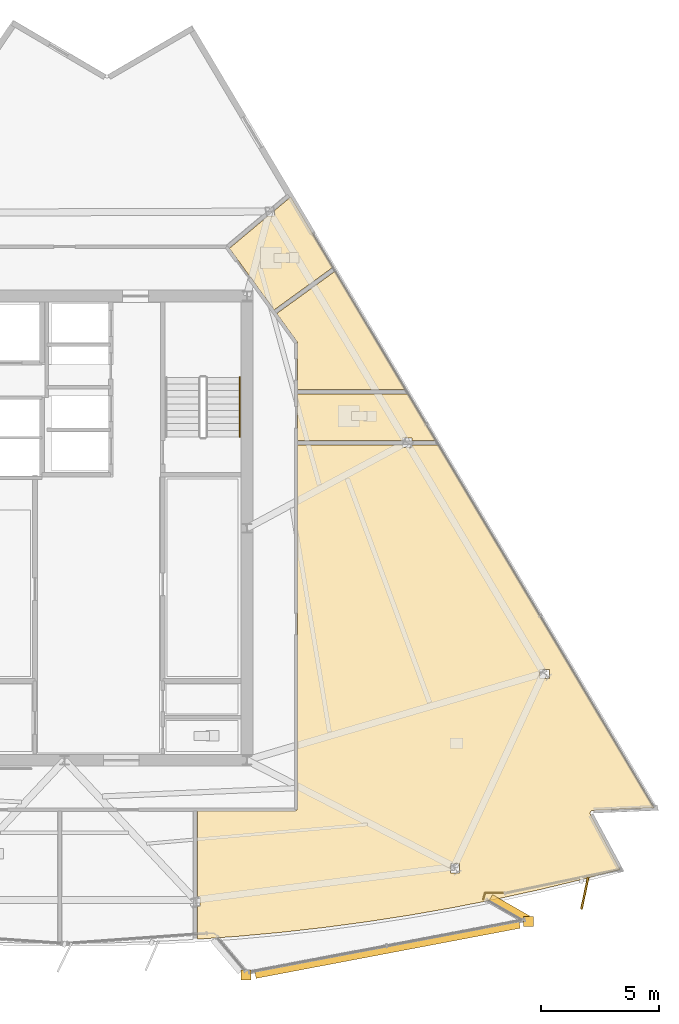
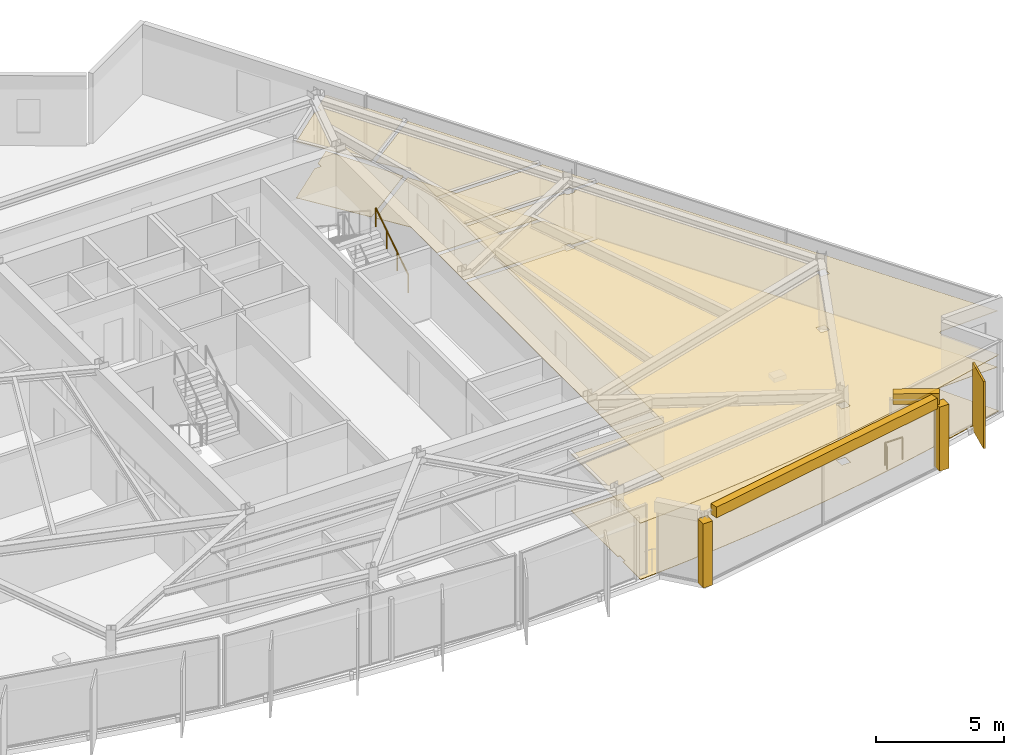
# One storey, part 13 of 14: 12 coverings, 2 railings, 1 shading device.
"""IFC4 building model written with IfcOpenShell, lengths in metres."""

from ifc_helpers import new_model, si_unit, direction, frame, origin, origin_2d, place, context, subcontext, project, spatial, polyline, rectangle, circle, outline, extrude, material, layer, layer_set, type_object, element, save


model = new_model("IFC4")

# Units and contexts
model_context = context("Model", 3, precision=1e-05, world=origin(), true_north=direction((0.0, 1.0)))
body_context = subcontext(model_context, "Body", "Model", "MODEL_VIEW")
ifc_project = project(units=[si_unit("LENGTHUNIT", "METRE"), si_unit("AREAUNIT", "SQUARE_METRE"), si_unit("VOLUMEUNIT", "CUBIC_METRE"), si_unit("PLANEANGLEUNIT", "RADIAN"), si_unit("MASSUNIT", "GRAM", prefix="KILO")], contexts=[model_context])

# Site, building, storey
site_placement = place(None, origin())
site = spatial("IfcSite", under=ifc_project, at=site_placement, CompositionType="ELEMENT")
building_placement = place(site_placement, origin())
building = spatial("IfcBuilding", under=site, at=building_placement, Name="Savorim Split Tower", CompositionType="ELEMENT")
storey_placement = place(building_placement, frame((0.0, 0.0, 219.89990234375)))
storey = spatial("IfcBuildingStorey", under=building, at=storey_placement, Name="L58", CompositionType="ELEMENT", Elevation=219.89990234375)

# Coverings
ifc_material_1 = material(Name="Mineral Fibre Acoustic Ceiling")
ifc_layer_1 = layer(ifc_material_1, 0.02490234375)
ifc_layer_set_1 = layer_set([ifc_layer_1], Name="COV-CEIL-25")
covering_type_1 = type_object("IfcCoveringType", Name="COV-CEIL-25", PredefinedType="CEILING", material=ifc_layer_set_1)
covering_1_placement = place(storey_placement, frame((0.0, 0.0, 2.670166015625)))
element("IfcCovering", 1, at=covering_1_placement, inside=storey, type_object=covering_type_1, Name="L58 Community Laundry Room Acoustic Ceiling", PredefinedType="CEILING", context=body_context, shape_type="SweptSolid", body=[
    extrude(outline(polyline([(22.282958984375, -11.518310546875), (22.294189453125, -11.516357421875), (22.305908203125, -11.51513671875), (24.887451171875, -11.405517578125), (15.76025390625, 3.944091796875), (15.76025390625, 3.910888671875), (14.66943359375, 3.910888671875), (14.66943359375, 3.81005859375), (14.275390625, 3.81005859375), (14.275390625, 3.910888671875), (9.840087890625, 3.910888671875), (9.840087890625, -11.39990234375), (9.83935546875, -11.413818359375), (9.83740234375, -11.42724609375), (9.833984375, -11.440673828125), (9.829345703125, -11.45361328125), (9.823486328125, -11.466064453125), (9.81640625, -11.477783203125), (9.80810546875, -11.48876953125), (9.799072265625, -11.4990234375), (9.788818359375, -11.50830078125), (9.77783203125, -11.516357421875), (9.76611328125, -11.5234375), (9.753662109375, -11.529296875), (9.740478515625, -11.533935546875), (9.727294921875, -11.537353515625), (9.713623046875, -11.539306640625), (9.699951171875, -11.5400390625), (5.6201171875, -11.5400390625), (5.6201171875, -15.165771484375), (5.721923828125, -15.165771484375), (5.721923828125, -15.5576171875), (5.6201171875, -15.5576171875), (5.6201171875, -16.912353515625), (5.6201171875, -16.95556640625), (7.3388671875, -16.832275390625), (9.167724609375, -16.663330078125), (10.992919921875, -16.45703125), (12.8134765625, -16.21337890625), (14.62841796875, -15.9326171875), (16.4375, -15.61474609375), (18.23974609375, -15.260009765625), (20.0341796875, -14.868408203125), (21.8203125, -14.440185546875), (23.450927734375, -14.013671875), (22.205078125, -11.69189453125), (22.2001953125, -11.681396484375), (22.1962890625, -11.670654296875), (22.193359375, -11.659423828125), (22.191650390625, -11.64794921875), (22.19091796875, -11.636474609375), (22.19140625, -11.625), (22.19287109375, -11.613525390625), (22.195556640625, -11.602294921875), (22.19921875, -11.59130859375), (22.203857421875, -11.580810546875), (22.209716796875, -11.57080078125), (22.21630859375, -11.561279296875), (22.223876953125, -11.552490234375), (22.232177734375, -11.544677734375), (22.2412109375, -11.537353515625), (22.2509765625, -11.53125), (22.26123046875, -11.52587890625), (22.27197265625, -11.521484375), (22.282958984375, -11.518310546875)]), holes=[polyline([(16.681884765625, -14.150390625), (16.681884765625, -13.758544921875), (16.287841796875, -13.758544921875), (16.287841796875, -14.150390625), (16.681884765625, -14.150390625)]), polyline([(20.47509765625, -5.953857421875), (20.47509765625, -5.561767578125), (20.081298828125, -5.561767578125), (20.081298828125, -5.953857421875), (20.47509765625, -5.953857421875)])]), origin(), (0.0, 0.0, 1.0), 0.02490234375),
])
covering_2_placement = place(storey_placement, frame((0.0, 0.0, 2.670166015625)))
element("IfcCovering", 2, at=covering_2_placement, inside=storey, type_object=covering_type_1, Name="L58 Shared Bathroom Acoustic Ceiling", PredefinedType="CEILING", context=body_context, shape_type="SweptSolid", body=[
    extrude(outline(polyline([(14.66943359375, 4.201904296875), (14.66943359375, 4.10107421875), (15.665283203125, 4.10107421875), (15.6669921875, 4.10107421875), (14.504638671875, 6.055419921875), (9.840087890625, 6.055419921875), (9.840087890625, 4.10107421875), (14.275390625, 4.10107421875), (14.275390625, 4.201904296875), (14.66943359375, 4.201904296875)])), origin(), (0.0, 0.0, 1.0), 0.02490234375),
])
covering_3_placement = place(storey_placement, frame((0.0, 0.0, 2.670166015625)))
element("IfcCovering", 3, at=covering_3_placement, inside=storey, type_object=covering_type_1, Name="L58 Co-Living Bedroom Acoustic Ceiling", PredefinedType="CEILING", context=body_context, shape_type="SweptSolid", body=[
    extrude(outline(polyline([(9.8369140625, 8.22900390625), (9.839111328125, 8.214599609375), (9.840087890625, 8.199951171875), (9.840087890625, 6.24560546875), (14.3916015625, 6.24560546875), (11.4189453125, 11.2451171875), (8.95849609375, 9.461181640625), (9.813232421875, 8.2822265625), (9.8212890625, 8.27001953125), (9.827880859375, 8.2568359375), (9.833251953125, 8.2431640625), (9.8369140625, 8.22900390625)])), origin(), (0.0, 0.0, 1.0), 0.02490234375),
])
covering_4_placement = place(storey_placement, frame((0.0, 0.0, 2.670166015625)))
element("IfcCovering", 4, at=covering_4_placement, inside=storey, type_object=covering_type_1, Name="L58 Shared Bathroom Acoustic Ceiling", PredefinedType="CEILING", context=body_context, shape_type="SweptSolid", body=[
    extrude(outline(polyline([(8.580810546875, 13.57373046875), (6.9658203125, 12.219482421875), (6.96142578125, 12.2158203125), (8.846923828125, 9.614990234375), (11.3212890625, 11.408935546875), (9.55078125, 14.38671875), (8.86376953125, 13.810791015625), (8.86376953125, 13.57373046875), (8.580810546875, 13.57373046875)])), origin(), (0.0, 0.0, 1.0), 0.02490234375),
])
ifc_material_2 = material(Name="Porcelain Stoneware Flooring", Category="masonry")
ifc_layer_2 = layer(ifc_material_2, 0.02001953125)
ifc_layer_set_2 = layer_set([ifc_layer_2], Name="COV-FLOR-20")
covering_type_2 = type_object("IfcCoveringType", Name="COV-FLOR-20", PredefinedType="FLOORING", material=ifc_layer_set_2)
covering_5_placement = place(storey_placement, origin())
element("IfcCovering", 5, at=covering_5_placement, inside=storey, type_object=covering_type_2, Name="L58 Community Laundry Room Porcelain Flooring", PredefinedType="FLOORING", context=body_context, shape_type="SweptSolid", body=[
    extrude(outline(polyline([(22.282958984375, -11.518310546875), (22.294189453125, -11.516357421875), (22.305908203125, -11.51513671875), (24.887451171875, -11.405517578125), (15.76025390625, 3.944091796875), (15.76025390625, 3.910888671875), (14.66943359375, 3.910888671875), (14.66943359375, 3.81005859375), (14.275390625, 3.81005859375), (14.275390625, 3.910888671875), (9.840087890625, 3.910888671875), (9.840087890625, -11.39990234375), (9.83935546875, -11.413818359375), (9.83740234375, -11.42724609375), (9.833984375, -11.440673828125), (9.829345703125, -11.45361328125), (9.823486328125, -11.466064453125), (9.81640625, -11.477783203125), (9.80810546875, -11.48876953125), (9.799072265625, -11.4990234375), (9.788818359375, -11.50830078125), (9.77783203125, -11.516357421875), (9.76611328125, -11.5234375), (9.753662109375, -11.529296875), (9.740478515625, -11.533935546875), (9.727294921875, -11.537353515625), (9.713623046875, -11.539306640625), (9.699951171875, -11.5400390625), (5.6201171875, -11.5400390625), (5.6201171875, -15.165771484375), (5.721923828125, -15.165771484375), (5.721923828125, -15.5576171875), (5.6201171875, -15.5576171875), (5.6201171875, -16.912353515625), (5.6201171875, -16.95556640625), (7.3388671875, -16.832275390625), (9.167724609375, -16.663330078125), (10.992919921875, -16.45703125), (12.8134765625, -16.21337890625), (14.62841796875, -15.9326171875), (16.4375, -15.61474609375), (18.23974609375, -15.260009765625), (20.0341796875, -14.868408203125), (21.8203125, -14.440185546875), (23.450927734375, -14.013671875), (22.205078125, -11.69189453125), (22.2001953125, -11.681396484375), (22.1962890625, -11.670654296875), (22.193359375, -11.659423828125), (22.191650390625, -11.64794921875), (22.19091796875, -11.636474609375), (22.19140625, -11.625), (22.19287109375, -11.613525390625), (22.195556640625, -11.602294921875), (22.19921875, -11.59130859375), (22.203857421875, -11.580810546875), (22.209716796875, -11.57080078125), (22.21630859375, -11.561279296875), (22.223876953125, -11.552490234375), (22.232177734375, -11.544677734375), (22.2412109375, -11.537353515625), (22.2509765625, -11.53125), (22.26123046875, -11.52587890625), (22.27197265625, -11.521484375), (22.282958984375, -11.518310546875)]), holes=[polyline([(16.681884765625, -14.150390625), (16.681884765625, -13.758544921875), (16.287841796875, -13.758544921875), (16.287841796875, -14.150390625), (16.681884765625, -14.150390625)]), polyline([(20.47509765625, -5.953857421875), (20.47509765625, -5.561767578125), (20.081298828125, -5.561767578125), (20.081298828125, -5.953857421875), (20.47509765625, -5.953857421875)])]), origin(), (0.0, 0.0, 1.0), 0.02001953125),
])
covering_6_placement = place(storey_placement, origin())
element("IfcCovering", 6, at=covering_6_placement, inside=storey, type_object=covering_type_2, Name="L58 Shared Bathroom Porcelain Flooring", PredefinedType="FLOORING", context=body_context, shape_type="SweptSolid", body=[
    extrude(outline(polyline([(14.66943359375, 4.201904296875), (14.66943359375, 4.10107421875), (15.665283203125, 4.10107421875), (15.6669921875, 4.10107421875), (14.504638671875, 6.055419921875), (9.840087890625, 6.055419921875), (9.840087890625, 4.10107421875), (14.275390625, 4.10107421875), (14.275390625, 4.201904296875), (14.66943359375, 4.201904296875)])), origin(), (0.0, 0.0, 1.0), 0.02001953125),
])
covering_7_placement = place(storey_placement, origin())
element("IfcCovering", 7, at=covering_7_placement, inside=storey, type_object=covering_type_2, Name="L58 Co-Living Bedroom Porcelain Flooring", PredefinedType="FLOORING", context=body_context, shape_type="SweptSolid", body=[
    extrude(outline(polyline([(9.8369140625, 8.22900390625), (9.839111328125, 8.214599609375), (9.840087890625, 8.199951171875), (9.840087890625, 6.24560546875), (14.3916015625, 6.24560546875), (11.4189453125, 11.2451171875), (8.95849609375, 9.461181640625), (9.813232421875, 8.2822265625), (9.8212890625, 8.27001953125), (9.827880859375, 8.2568359375), (9.833251953125, 8.2431640625), (9.8369140625, 8.22900390625)])), origin(), (0.0, 0.0, 1.0), 0.02001953125),
])
covering_8_placement = place(storey_placement, origin())
element("IfcCovering", 8, at=covering_8_placement, inside=storey, type_object=covering_type_2, Name="L58 Shared Bathroom Porcelain Flooring", PredefinedType="FLOORING", context=body_context, shape_type="SweptSolid", body=[
    extrude(outline(polyline([(8.580810546875, 13.57373046875), (6.9658203125, 12.219482421875), (6.96142578125, 12.2158203125), (8.846923828125, 9.614990234375), (11.3212890625, 11.408935546875), (9.55078125, 14.38671875), (8.86376953125, 13.810791015625), (8.86376953125, 13.57373046875), (8.580810546875, 13.57373046875)])), origin(), (0.0, 0.0, 1.0), 0.02001953125),
])
ifc_material_3 = material(Name="White Porcelain Architectural Cladding")
ifc_layer_3 = layer(ifc_material_3, 0.139892578125)
ifc_layer_set_3 = layer_set([ifc_layer_3], Name="COV-FRM-WHITE")
covering_type_3 = type_object("IfcCoveringType", Name="COV-FRM-WHITE", PredefinedType="CLADDING", material=ifc_layer_set_3)
covering_9_placement = place(storey_placement, frame((0.0, 0.0, 3.080078125)))
element("IfcCovering", 9, at=covering_9_placement, inside=storey, type_object=covering_type_3, Name="L58 Cantilevered Lounge White Upper Cornice Band F", PredefinedType="CLADDING", context=body_context, shape_type="SweptSolid", body=[
    extrude(outline(polyline([(8.088134765625, -18.609130859375), (19.2421875, -16.490966796875), (19.178955078125, -16.156982421875), (8.024658203125, -18.275146484375), (8.088134765625, -18.609130859375)])), origin(), (0.0, 0.0, 1.0), 0.510009765625),
])
covering_10_placement = place(storey_placement, frame((0.0, 0.0, 3.080078125)))
element("IfcCovering", 10, at=covering_10_placement, inside=storey, type_object=covering_type_3, Name="L58 Cantilevered Lounge White Upper Cornice Band E", PredefinedType="CLADDING", context=body_context, shape_type="SweptSolid", body=[
    extrude(outline(polyline([(19.634033203125, -15.969482421875), (18.0712890625, -15.076171875), (17.902587890625, -15.371337890625), (19.465087890625, -16.2646484375), (19.634033203125, -15.969482421875)])), origin(), (0.0, 0.0, 1.0), 0.510009765625),
])
covering_11_placement = place(storey_placement, frame((0.0, 0.0, 0.010009765625)))
element("IfcCovering", 11, at=covering_11_placement, inside=storey, type_object=covering_type_3, Name="L58 Cantilevered Lounge White Frame Corner Post 1", PredefinedType="CLADDING", context=body_context, shape_type="SweptSolid", body=[
    extrude(outline(polyline([(7.444091796875, -18.677490234375), (7.864013671875, -18.677490234375), (7.864013671875, -18.257568359375), (7.444091796875, -18.257568359375), (7.444091796875, -18.677490234375)])), origin(), (0.0, 0.0, 1.0), 3.050048828125),
])
covering_12_placement = place(storey_placement, frame((0.0, 0.0, 0.010009765625)))
element("IfcCovering", 12, at=covering_12_placement, inside=storey, type_object=covering_type_3, Name="L58 Cantilevered Lounge White Frame Corner Post 2", PredefinedType="CLADDING", context=body_context, shape_type="SweptSolid", body=[
    extrude(outline(polyline([(19.38427734375, -16.41015625), (19.80419921875, -16.41015625), (19.80419921875, -15.990234375), (19.38427734375, -15.990234375), (19.38427734375, -16.41015625)])), origin(), (0.0, 0.0, 1.0), 3.050048828125),
])

# Railings
ifc_material_4 = material(Name="Galvanised Painted Steel Balustrade", Category="steel")
railing_type_1 = type_object("IfcRailingType", Name="RLG-BAL-1100", PredefinedType="BALUSTRADE", material=ifc_material_4)
railing_1_placement = place(storey_placement, frame((17.673583984375, -15.2744140625, 0.0)))
element("IfcRailing", 13, at=railing_1_placement, inside=storey, type_object=railing_type_1, Name="L58 Cantilevered Lounge East Edge Closure Guard", PredefinedType="BALUSTRADE", context=body_context, shape_type="SweptSolid", body=[
    extrude(circle(Radius=0.02392578125, at=origin_2d()), frame((0.0, 0.0, 1.076171875), z_axis=(0.279087790974, 0.960265590829, 0.0), x_axis=(-0.960265590829, 0.279087790974, 0.0)), (0.0, 0.0, 1.0), 0.287841796875),
    extrude(circle(Radius=0.02392578125, at=origin_2d()), frame((0.080322265625, 0.2763671875, 1.076171875), z_axis=(1.0, 0.0, 0.0), x_axis=(0.0, 1.0, 0.0)), (0.0, 0.0, 1.0), 0.77978515625),
    extrude(circle(Radius=0.02099609375, at=origin_2d()), origin(), (0.0, 0.0, 1.0), 1.052001953125),
    extrude(circle(Radius=0.02099609375, at=origin_2d()), frame((0.080322265625, 0.2763671875, 0.0)), (0.0, 0.0, 1.0), 1.052001953125),
    extrude(circle(Radius=0.02099609375, at=origin_2d()), frame((0.860107421875, 0.2763671875, 0.0)), (0.0, 0.0, 1.0), 1.052001953125),
])
railing_type_2 = type_object("IfcRailingType", Name="RLG-HR-900", PredefinedType="HANDRAIL", material=ifc_material_4)
railing_2_placement = place(storey_placement, frame((7.39990234375, 4.25, 0.18017578125)))
element("IfcRailing", 14, at=railing_2_placement, inside=storey, type_object=railing_type_2, Name="L58 ST-2 stair handrail 1", PredefinedType="HANDRAIL", context=body_context, shape_type="SweptSolid", body=[
    extrude(circle(Radius=0.02392578125, at=origin_2d()), frame((0.0, 0.0, 0.8759765625), z_axis=(0.0, 0.841199657755, 0.540724639528), x_axis=(-1.0, 0.0, 0.0)), (0.0, 0.0, 1.0), 2.995849609375),
    extrude(circle(Radius=0.02099609375, at=origin_2d()), origin(), (0.0, 0.0, 1.0), 0.851806640625),
    extrude(circle(Radius=0.02099609375, at=origin_2d()), frame((0.0, 0.840087890625, 0.5400390625)), (0.0, 0.0, 1.0), 0.851806640625),
    extrude(circle(Radius=0.02099609375, at=origin_2d()), frame((0.0, 1.679931640625, 1.079833984375)), (0.0, 0.0, 1.0), 0.851806640625),
    extrude(circle(Radius=0.02099609375, at=origin_2d()), frame((0.0, 2.52001953125, 1.619873046875)), (0.0, 0.0, 1.0), 0.851806640625),
])

# Shading device
ifc_material_5 = material(Name="Terracotta Ceramic-Coated Aluminium Fin", Category="masonry")
shading_device_type = type_object("IfcShadingDeviceType", Name="SHD-FIN-1360", PredefinedType="USERDEFINED", material=ifc_material_5)
shading_device_placement = place(storey_placement, frame((21.965087890625, -15.018310546875, -0.19970703125), z_axis=(0.0, 0.0, 1.0), x_axis=(-0.206721626106, -0.978399800337, 0.0)))
element("IfcShadingDevice", 15, at=shading_device_placement, inside=storey, type_object=shading_device_type, Name="L58 Sawtooth Shading Fin 13", ObjectType="FIN", PredefinedType="USERDEFINED", context=body_context, shape_type="SweptSolid", body=[
    extrude(rectangle(XDim=1.360107421875, YDim=0.080078125, at=origin_2d()), origin(), (0.0, 0.0, 1.0), 3.199951171875),
])

save(model, "model.ifc")
